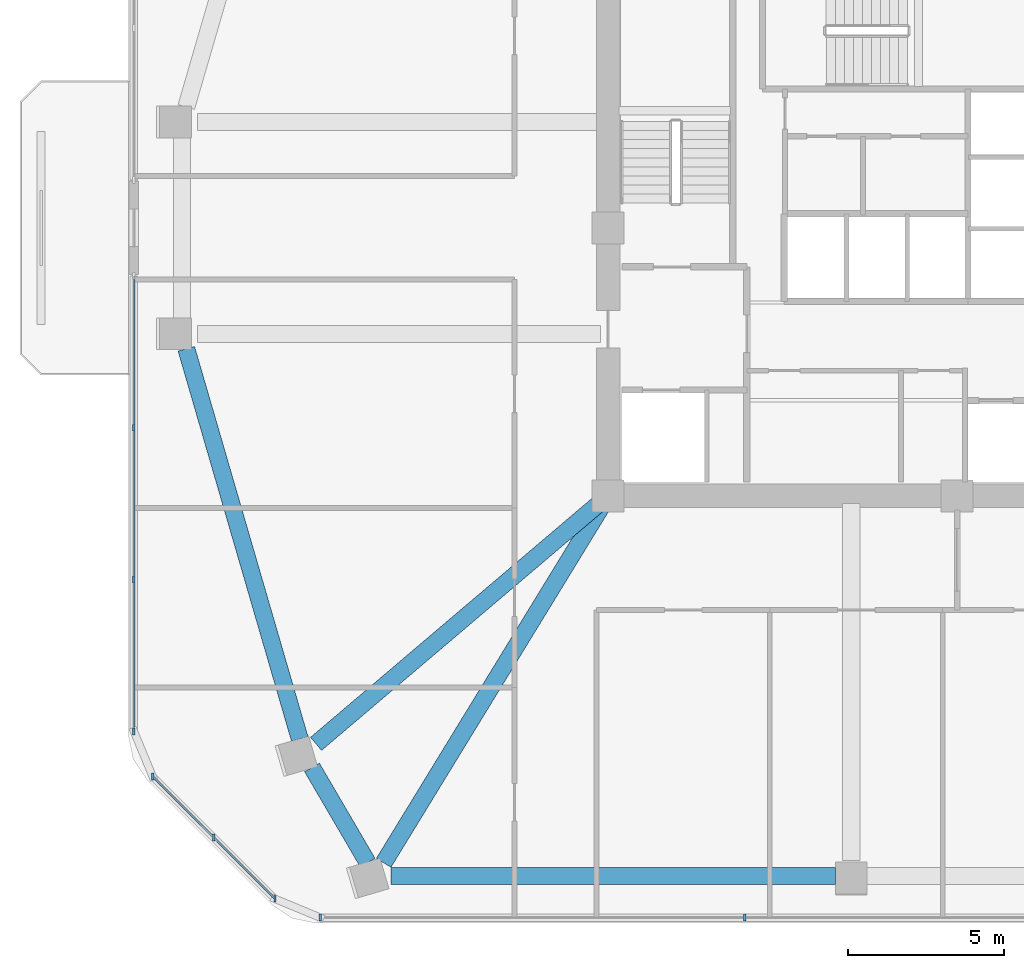
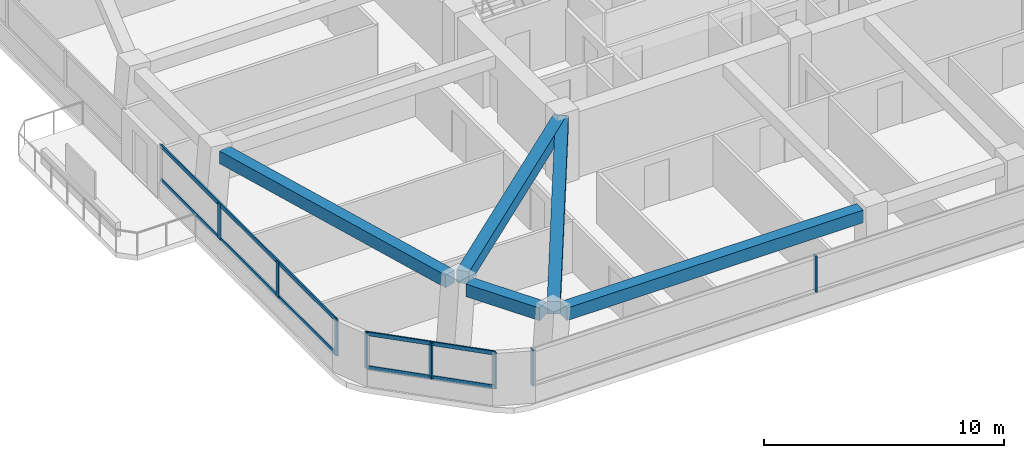
# One storey, part 2 of 15: 12 members, 5 beams, 3 elements without a shape of their own.
"""IFC4 building model written with IfcOpenShell, lengths in metres."""

import ifcopenshell
import ifcopenshell.guid

model = None  # the IFC model being written
_history = None  # IfcOwnerHistory: only IFC2X3 demands one
_inside = {}  # id of a spatial element -> (the spatial element, [elements in it])
_under = {}  # id of a project, library or spatial element -> (it, [spatial elements below it])
_declared = {}  # id of a project -> (the project, [libraries it declares])
_typed = {}  # id of a type object -> (the type object, [elements of that type])
_made_of = {}  # id of a material, layer set ... -> (it, [elements and type objects made of it])


def new_model(schema):
    """Start an empty IFC model of exactly this schema.

    Asked for "IFC4X3", IfcOpenShell would pick the latest addendum, in which some entities
    have other attributes; the version numbers below select the first issue.
    IFC2X3 requires an IfcOwnerHistory on every rooted entity: one is made here for all.
    """
    global model, _history
    if schema == "IFC4X3":
        model = ifcopenshell.file(schema_version=(4, 3, 0, 0))
    else:
        model = ifcopenshell.file(schema=schema)
    _inside.clear()
    _under.clear()
    _declared.clear()
    _typed.clear()
    _made_of.clear()
    _history = None
    if model.schema == "IFC2X3":
        org = make("IfcOrganization", Name="unknown")
        user = make(
            "IfcPersonAndOrganization",
            ThePerson=make("IfcPerson", FamilyName="unknown"),
            TheOrganization=org,
        )
        app = make(
            "IfcApplication",
            ApplicationDeveloper=org,
            Version="unknown",
            ApplicationFullName="unknown",
            ApplicationIdentifier="unknown",
        )
        _history = make(
            "IfcOwnerHistory",
            OwningUser=user,
            OwningApplication=app,
            ChangeAction="ADDED",
            CreationDate=0,
        )
    return model


def make(cls, **values):
    """One entity of the class cls with the attributes given. An attribute that is None is left unset."""
    return model.create_entity(
        cls, **{name: value for name, value in values.items() if value is not None}
    )


def rooted(cls, **values):
    """An entity with a GlobalId (a new one), such as an element, a storey or a relation."""
    return make(cls, GlobalId=ifcopenshell.guid.new(), OwnerHistory=_history, **values)


def si_unit(unit_type, name, prefix=None):
    """IfcSIUnit, for example si_unit("LENGTHUNIT", "METRE", prefix="MILLI")."""
    return make("IfcSIUnit", UnitType=unit_type, Prefix=prefix, Name=name)


def derived_unit(unit_type, elements):
    """IfcDerivedUnit: a product of units, each with its exponent."""
    return make(
        "IfcDerivedUnit",
        Elements=[
            make("IfcDerivedUnitElement", Unit=unit, Exponent=power)
            for unit, power in elements
        ],
        UnitType=unit_type,
    )


def assignment(units):
    """IfcUnitAssignment: the units of a project."""
    return None if units is None else make("IfcUnitAssignment", Units=units)


def point(xyz):
    """IfcCartesianPoint."""
    return None if xyz is None else make("IfcCartesianPoint", Coordinates=xyz)


def direction(xyz):
    """IfcDirection."""
    return None if xyz is None else make("IfcDirection", DirectionRatios=xyz)


def frame(location, z_axis=None, x_axis=None):
    """IfcAxis2Placement3D, a coordinate frame: its origin and axes. An axis left out is left unset."""
    return make(
        "IfcAxis2Placement3D",
        Location=point(location),
        Axis=direction(z_axis),
        RefDirection=direction(x_axis),
    )


def frame_2d(location, x_axis=None):
    """IfcAxis2Placement2D, a coordinate frame in the plane: its origin and x axis."""
    return make(
        "IfcAxis2Placement2D", Location=point(location), RefDirection=direction(x_axis)
    )


def origin():
    """The frame at (0, 0, 0) with its axes left unset."""
    return frame((0.0, 0.0, 0.0))


def origin_2d():
    """The frame at (0, 0) in the plane with its x axis left unset."""
    return frame_2d((0.0, 0.0))


def place(relative_to, where):
    """IfcLocalPlacement: puts the frame where relative to a parent placement (None: the world)."""
    return make(
        "IfcLocalPlacement", PlacementRelTo=relative_to, RelativePlacement=where
    )


def context(
    kind, dimensions, precision=None, world=None, true_north=None, identifier=None
):
    """IfcGeometricRepresentationContext, for example the 3D "Model" context."""
    return make(
        "IfcGeometricRepresentationContext",
        ContextIdentifier=identifier,
        ContextType=kind,
        CoordinateSpaceDimension=dimensions,
        Precision=precision,
        WorldCoordinateSystem=world,
        TrueNorth=true_north,
    )


def subcontext(parent, identifier, kind, view, scale=None):
    """IfcGeometricRepresentationSubContext, for example "Body" below "Model"."""
    return make(
        "IfcGeometricRepresentationSubContext",
        ContextIdentifier=identifier,
        ContextType=kind,
        ParentContext=parent,
        TargetScale=scale,
        TargetView=view,
    )


def project(units=None, contexts=None):
    """IfcProject with its units and contexts."""
    return rooted(
        "IfcProject",
        Name="project",
        RepresentationContexts=contexts,
        UnitsInContext=assignment(units),
    )


def spatial(cls, under=None, at=None, **own):
    """A site, building, storey or space (cls), placed at a placement, below another one or the project."""
    s = rooted(cls, ObjectPlacement=at, **own)
    if under is not None:
        _under.setdefault(under.id(), (under, []))[1].append(s)
    return s


def profile(cls, at=None, kind="AREA", **sizes):
    """A parametric profile (cls). Its sizes go by their IFC names, for example OverallWidth=200.0."""
    return make(cls, ProfileType=kind, Position=at, **sizes)


def rectangle(**sizes):
    """IfcRectangleProfileDef."""
    return profile("IfcRectangleProfileDef", **sizes)


def extrude(swept, where, along, depth):
    """IfcExtrudedAreaSolid: the profile swept, set in the frame where, extruded along a direction by depth."""
    return make(
        "IfcExtrudedAreaSolid",
        SweptArea=swept,
        Position=where,
        ExtrudedDirection=direction(along),
        Depth=depth,
    )


def shape(context_of_items, identifier, shape_type, items):
    """IfcShapeRepresentation: the items that make up one representation, for example the "Body"."""
    return make(
        "IfcShapeRepresentation",
        ContextOfItems=context_of_items,
        RepresentationIdentifier=identifier,
        RepresentationType=shape_type,
        Items=items,
    )


def material(Name=None, Category=None):
    """IfcMaterial."""
    return make("IfcMaterial", Name=Name, Category=Category)


def material_profile(
    of_material, cross_section, Name=None, Category=None, Priority=None
):
    """IfcMaterialProfile: a cross section and its material."""
    return make(
        "IfcMaterialProfile",
        Name=Name,
        Material=of_material,
        Profile=cross_section,
        Priority=Priority,
        Category=Category,
    )


def profile_set(profiles, Name=None, composite=None):
    """IfcMaterialProfileSet."""
    return make(
        "IfcMaterialProfileSet",
        Name=Name,
        MaterialProfiles=profiles,
        CompositeProfile=composite,
    )


def made_of(thing, what):
    """Note that an element or type object is made of a material, layer set ...; save() writes the relation."""
    if what is not None:
        _made_of.setdefault(what.id(), (what, []))[1].append(thing)
    return thing


def type_object(cls, material=None, **own):
    """A type object (cls), such as IfcWallType, which elements share."""
    return made_of(rooted(cls, **own), material)


def element(
    cls,
    number,
    at=None,
    inside=None,
    cuts=None,
    type_object=None,
    material=None,
    context=None,
    identifier="Body",
    shape_type=None,
    held_by="IfcProductDefinitionShape",
    body=None,
    shapes=None,
    **own,
):
    """One element of the class cls, such as IfcWall. Its Tag is "e" and its number.

    at: its placement. inside: the storey or other place that contains it. cuts: it is an
    opening in that element (IfcRelVoidsElement). A single representation is given by context,
    identifier, shape_type and body (its items); several are given by shapes. held_by: the class
    of the entity that holds the representations. save() writes the other relations.
    """
    e = rooted(cls, Tag="e%d" % number, ObjectPlacement=at, **own)
    if body is not None:
        shapes = [shape(context, identifier, shape_type, body)]
    if shapes is not None:
        e.Representation = make(held_by, Representations=shapes)
    if inside is not None:
        _inside.setdefault(inside.id(), (inside, []))[1].append(e)
    if cuts is not None:
        rooted(
            "IfcRelVoidsElement", RelatingBuildingElement=cuts, RelatedOpeningElement=e
        )
    if type_object is not None:
        _typed.setdefault(type_object.id(), (type_object, []))[1].append(e)
    return made_of(e, material)


def aggregate(whole, parts):
    """IfcRelAggregates: a whole, such as a stair, and the parts it consists of."""
    return rooted("IfcRelAggregates", RelatingObject=whole, RelatedObjects=parts)


def save(model, path):
    """Write the relations noted so far, then the file.

    IfcRelAggregates (storeys below a building ...), IfcRelContainedInSpatialStructure (elements
    in a storey), IfcRelDefinesByType, IfcRelAssociatesMaterial and IfcRelDeclares: one each for
    every whole, place, type object, material and project.
    """
    for whole, parts in _under.values():
        aggregate(whole, parts)
    for where, things in _inside.values():
        rooted(
            "IfcRelContainedInSpatialStructure",
            RelatedElements=things,
            RelatingStructure=where,
        )
    for kind, things in _typed.values():
        rooted("IfcRelDefinesByType", RelatedObjects=things, RelatingType=kind)
    for what, things in _made_of.values():
        rooted("IfcRelAssociatesMaterial", RelatedObjects=things, RelatingMaterial=what)
    for by, libraries in _declared.values():
        rooted("IfcRelDeclares", RelatingContext=by, RelatedDefinitions=libraries)
    model.write(path)


model = new_model("IFC4")

# Units and contexts
model_context = context("Model", 3, precision=1e-05, world=origin(), true_north=direction((0.0, 1.0)))
body_context = subcontext(model_context, "Body", "Model", "MODEL_VIEW")
ifc_project = project(units=[si_unit("LENGTHUNIT", "METRE"), si_unit("AREAUNIT", "SQUARE_METRE"), si_unit("VOLUMEUNIT", "CUBIC_METRE"), si_unit("PLANEANGLEUNIT", "RADIAN"), si_unit("MASSUNIT", "GRAM", prefix="KILO"), derived_unit("THERMALTRANSMITTANCEUNIT", [(si_unit("POWERUNIT", "WATT"), 1), (si_unit("LENGTHUNIT", "METRE"), -2), (si_unit("THERMODYNAMICTEMPERATUREUNIT", "KELVIN"), -1)])], contexts=[model_context])

# Site, building, storey
site_placement = place(None, origin())
site = spatial("IfcSite", under=ifc_project, at=site_placement, CompositionType="ELEMENT")
building_placement = place(site_placement, origin())
building = spatial("IfcBuilding", under=site, at=building_placement, Name="Koralith Skygarden Medical Center", CompositionType="ELEMENT")
storey_placement = place(building_placement, frame((0.0, 0.0, 91.97998046875)))
storey = spatial("IfcBuildingStorey", under=building, at=storey_placement, Name="L23", CompositionType="ELEMENT", Elevation=91.97998046875)

# Curtain wall, members
ifc_material_1 = material(Name="Clear Laminated Glass", Category="glass")
curtain_wall_type = type_object("IfcCurtainWallType", Name="CW-3 Zone 2 Faceted Solar Curtain Wall", PredefinedType="NOTDEFINED", material=ifc_material_1)
curtain_wall_1_placement = place(storey_placement, origin())
curtain_wall_1 = element("IfcCurtainWall", 1, at=curtain_wall_1_placement, inside=storey, type_object=curtain_wall_type, Name="Curtain Wall CW-L23-S", PredefinedType="NOTDEFINED")
ifc_material_2 = material(Name="Aluminium 6063-T6", Category="aluminium")
ifc_material_profile_1 = material_profile(ifc_material_2, rectangle(XDim=0.073974609375, YDim=0.219970703125, at=origin_2d()), Name="MUL74X220")
ifc_profile_set_1 = profile_set([ifc_material_profile_1], Name="Aluminium 6063-T6")
member_type_1 = type_object("IfcMemberType", Name="CW-3 Extruded Mullion 74x220", PredefinedType="MULLION", material=ifc_profile_set_1)
member_1_placement = place(storey_placement, frame((16.55810546875, 3.76806640625, 0.85009765625), z_axis=(0.0, 0.0, 1.0), x_axis=(1.0, 0.0, 0.0)))
member_1 = element("IfcMember", 2, at=member_1_placement, type_object=member_type_1, Name="CW-L23-S Mullion 1", PredefinedType="MULLION", context=body_context, shape_type="SweptSolid", body=[
    extrude(rectangle(XDim=0.073974609375, YDim=0.219970703125, at=origin_2d()), origin(), (0.0, 0.0, 1.0), 1.81982421875),
])
member_2_placement = place(storey_placement, frame((30.18603515625, 3.76806640625, 0.85009765625), z_axis=(0.0, 0.0, 1.0), x_axis=(1.0, 0.0, 0.0)))
member_2 = element("IfcMember", 3, at=member_2_placement, type_object=member_type_1, Name="CW-L23-S Mullion 2", PredefinedType="MULLION", context=body_context, shape_type="SweptSolid", body=[
    extrude(rectangle(XDim=0.073974609375, YDim=0.219970703125, at=origin_2d()), origin(), (0.0, 0.0, 1.0), 1.81982421875),
])
aggregate(curtain_wall_1, [member_1, member_2])

curtain_wall_2_placement = place(storey_placement, origin())
curtain_wall_2 = element("IfcCurtainWall", 4, at=curtain_wall_2_placement, inside=storey, type_object=curtain_wall_type, Name="Curtain Wall CW-L23-W-R", PredefinedType="NOTDEFINED")
member_3_placement = place(storey_placement, frame((10.58203125, 19.488037109375, 0.85009765625), z_axis=(0.0, 0.0, 1.0), x_axis=(1.0, 0.0, 0.0)))
member_3 = element("IfcMember", 5, at=member_3_placement, type_object=member_type_1, Name="CW-L23-W-R Mullion 2", PredefinedType="MULLION", context=body_context, shape_type="SweptSolid", body=[
    extrude(rectangle(XDim=0.073974609375, YDim=0.219970703125, at=origin_2d()), origin(), (0.0, 0.0, 1.0), 1.81982421875),
])
member_4_placement = place(storey_placement, frame((10.58203125, 14.615966796875, 0.85009765625), z_axis=(0.0, 0.0, 1.0), x_axis=(1.0, 0.0, 0.0)))
member_4 = element("IfcMember", 6, at=member_4_placement, type_object=member_type_1, Name="CW-L23-W-R Mullion 3", PredefinedType="MULLION", context=body_context, shape_type="SweptSolid", body=[
    extrude(rectangle(XDim=0.073974609375, YDim=0.219970703125, at=origin_2d()), origin(), (0.0, 0.0, 1.0), 1.81982421875),
])
member_5_placement = place(storey_placement, frame((10.58203125, 9.743896484375, 0.85009765625), z_axis=(0.0, 0.0, 1.0), x_axis=(1.0, 0.0, 0.0)))
member_5 = element("IfcMember", 7, at=member_5_placement, type_object=member_type_1, Name="CW-L23-W-R Mullion 4", PredefinedType="MULLION", context=body_context, shape_type="SweptSolid", body=[
    extrude(rectangle(XDim=0.073974609375, YDim=0.219970703125, at=origin_2d()), origin(), (0.0, 0.0, 1.0), 1.81982421875),
])

curtain_wall_3_placement = place(storey_placement, origin())
curtain_wall_3 = element("IfcCurtainWall", 8, at=curtain_wall_3_placement, inside=storey, type_object=curtain_wall_type, Name="Curtain Wall CW-L23-SW", PredefinedType="NOTDEFINED")
member_6_placement = place(storey_placement, frame((11.18408203125, 8.29296875, 0.85009765625), z_axis=(0.0, 0.0, 1.0), x_axis=(1.0, 0.0, 0.0)))
member_6 = element("IfcMember", 9, at=member_6_placement, type_object=member_type_1, Name="CW-L23-SW Mullion 1", PredefinedType="MULLION", context=body_context, shape_type="SweptSolid", body=[
    extrude(rectangle(XDim=0.073974609375, YDim=0.219970703125, at=origin_2d()), origin(), (0.0, 0.0, 1.0), 1.81982421875),
])
member_7_placement = place(storey_placement, frame((13.14501953125, 6.33203125, 0.85009765625), z_axis=(0.0, 0.0, 1.0), x_axis=(1.0, 0.0, 0.0)))
member_7 = element("IfcMember", 10, at=member_7_placement, type_object=member_type_1, Name="CW-L23-SW Mullion 2", PredefinedType="MULLION", context=body_context, shape_type="SweptSolid", body=[
    extrude(rectangle(XDim=0.073974609375, YDim=0.219970703125, at=origin_2d()), origin(), (0.0, 0.0, 1.0), 1.81982421875),
])
member_8_placement = place(storey_placement, frame((15.10693359375, 4.3701171875, 0.85009765625), z_axis=(0.0, 0.0, 1.0), x_axis=(1.0, 0.0, 0.0)))
member_8 = element("IfcMember", 11, at=member_8_placement, type_object=member_type_1, Name="CW-L23-SW Mullion 3", PredefinedType="MULLION", context=body_context, shape_type="SweptSolid", body=[
    extrude(rectangle(XDim=0.073974609375, YDim=0.219970703125, at=origin_2d()), origin(), (0.0, 0.0, 1.0), 1.81982421875),
])

# Member
ifc_material_profile_2 = material_profile(ifc_material_2, rectangle(XDim=0.069091796875, YDim=0.197998046875, at=origin_2d()), Name="TRN69X198")
ifc_profile_set_2 = profile_set([ifc_material_profile_2], Name="Aluminium 6063-T6")
member_type_2 = type_object("IfcMemberType", Name="CW-3 Thermal Transom 69x198", PredefinedType="USERDEFINED", material=ifc_profile_set_2)
member_9_placement = place(storey_placement, frame((10.58203125, 24.360107421875, 0.89990234375), z_axis=(0.0, -1.0, 0.0), x_axis=(1.0, 0.0, 0.0)))
member_9 = element("IfcMember", 12, at=member_9_placement, type_object=member_type_2, Name="CW-L23-W-R Transom 1", ObjectType="TRANSOM", PredefinedType="USERDEFINED", context=body_context, shape_type="SweptSolid", body=[
    extrude(rectangle(XDim=0.069091796875, YDim=0.197998046875, at=origin_2d()), origin(), (0.0, 0.0, 1.0), 14.6162109375),
])

member_10_placement = place(storey_placement, frame((10.58203125, 24.360107421875, 2.6201171875), z_axis=(0.0, -1.0, 0.0), x_axis=(1.0, 0.0, 0.0)))
member_10 = element("IfcMember", 13, at=member_10_placement, type_object=member_type_2, Name="CW-L23-W-R Transom 2", ObjectType="TRANSOM", PredefinedType="USERDEFINED", context=body_context, shape_type="SweptSolid", body=[
    extrude(rectangle(XDim=0.069091796875, YDim=0.197998046875, at=origin_2d()), origin(), (0.0, 0.0, 1.0), 14.6162109375),
])

aggregate(curtain_wall_2, [member_3, member_4, member_5, member_9, member_10])

member_11_placement = place(storey_placement, frame((11.18408203125, 8.29296875, 0.89990234375), z_axis=(0.707106781187, -0.707106781187, 0.0), x_axis=(0.707106781187, 0.707106781187, 0.0)))
member_11 = element("IfcMember", 14, at=member_11_placement, type_object=member_type_2, Name="CW-L23-SW Transom 1", ObjectType="TRANSOM", PredefinedType="USERDEFINED", context=body_context, shape_type="SweptSolid", body=[
    extrude(rectangle(XDim=0.069091796875, YDim=0.197998046875, at=origin_2d()), origin(), (0.0, 0.0, 1.0), 5.5478515625),
])

member_12_placement = place(storey_placement, frame((11.18408203125, 8.29296875, 2.6201171875), z_axis=(0.707106781187, -0.707106781187, 0.0), x_axis=(0.707106781187, 0.707106781187, 0.0)))
member_12 = element("IfcMember", 15, at=member_12_placement, type_object=member_type_2, Name="CW-L23-SW Transom 2", ObjectType="TRANSOM", PredefinedType="USERDEFINED", context=body_context, shape_type="SweptSolid", body=[
    extrude(rectangle(XDim=0.069091796875, YDim=0.197998046875, at=origin_2d()), origin(), (0.0, 0.0, 1.0), 5.5478515625),
])

aggregate(curtain_wall_3, [member_6, member_7, member_8, member_11, member_12])

# Beams
ifc_material_3 = material(Name="Concrete C45/55", Category="concrete")
ifc_material_profile_3 = material_profile(ifc_material_3, rectangle(XDim=0.550048828125, YDim=0.639892578125, at=origin_2d()), Name="RCB550X640")
ifc_profile_set_3 = profile_set([ifc_material_profile_3], Name="Concrete C45/55")
beam_type_1 = type_object("IfcBeamType", Name="Radial Collector Beam RCB550X640", PredefinedType="BEAM", material=ifc_profile_set_3)
beam_1_placement = place(storey_placement, frame((25.60888671875, 17.137939453125, 3.0), z_axis=(-0.762289739891, -0.647235932607, 0.0), x_axis=(0.647235932607, -0.762289739891, 0.0)))
element("IfcBeam", 16, at=beam_1_placement, inside=storey, type_object=beam_type_1, Name="L23 Radial Collector Beam RB-02", PredefinedType="BEAM", context=body_context, shape_type="SweptSolid", body=[
    extrude(rectangle(XDim=0.550048828125, YDim=0.639892578125, at=origin_2d()), origin(), (0.0, 0.0, 1.0), 12.04638671875),
])
beam_2_placement = place(storey_placement, frame((25.669921875, 17.0869140625, 3.0), z_axis=(-0.521811326111, -0.853060923933, 0.0), x_axis=(0.853060923933, -0.521811326111, 0.0)))
element("IfcBeam", 17, at=beam_2_placement, inside=storey, type_object=beam_type_1, Name="L23 Radial Collector Beam RB-03", PredefinedType="BEAM", context=body_context, shape_type="SweptSolid", body=[
    extrude(rectangle(XDim=0.550048828125, YDim=0.639892578125, at=origin_2d()), origin(), (0.0, 0.0, 1.0), 13.5546875),
])
ifc_material_profile_4 = material_profile(ifc_material_3, rectangle(XDim=0.550048828125, YDim=0.639892578125, at=origin_2d()), Name="RCB550X640")
ifc_profile_set_4 = profile_set([ifc_material_profile_4], Name="Concrete C45/55")
beam_type_2 = type_object("IfcBeamType", Name="Zone 2-3 Spandrel Beam RCB550X640", PredefinedType="SPANDREL", material=ifc_profile_set_4)
beam_3_placement = place(storey_placement, frame((12.263916015625, 22.02001953125, 3.0), z_axis=(0.279193344291, -0.960234906939, 0.0), x_axis=(0.960234906939, 0.279193344291, 0.0)))
element("IfcBeam", 18, at=beam_3_placement, inside=storey, type_object=beam_type_2, Name="L23 Perimeter Spandrel Beam SP-01", PredefinedType="SPANDREL", context=body_context, shape_type="SweptSolid", body=[
    extrude(rectangle(XDim=0.550048828125, YDim=0.639892578125, at=origin_2d()), origin(), (0.0, 0.0, 1.0), 13.04150390625),
])
beam_4_placement = place(storey_placement, frame((16.297119140625, 8.5849609375, 3.0), z_axis=(0.504766963518, -0.863255647268, 0.0), x_axis=(0.863255647268, 0.504766963518, 0.0)))
element("IfcBeam", 19, at=beam_4_placement, inside=storey, type_object=beam_type_2, Name="L23 Perimeter Spandrel Beam SP-02", PredefinedType="SPANDREL", context=body_context, shape_type="SweptSolid", body=[
    extrude(rectangle(XDim=0.550048828125, YDim=0.639892578125, at=origin_2d()), origin(), (0.0, 0.0, 1.0), 3.5400390625),
])
beam_5_placement = place(storey_placement, frame((18.8359375, 5.096923828125, 3.0), z_axis=(1.0, 0.0, 0.0), x_axis=(0.0, 1.0, 0.0)))
element("IfcBeam", 20, at=beam_5_placement, inside=storey, type_object=beam_type_2, Name="L23 Perimeter Spandrel Beam SP-03", PredefinedType="SPANDREL", context=body_context, shape_type="SweptSolid", body=[
    extrude(rectangle(XDim=0.550048828125, YDim=0.639892578125, at=origin_2d()), origin(), (0.0, 0.0, 1.0), 14.26416015625),
])

save(model, "model.ifc")
